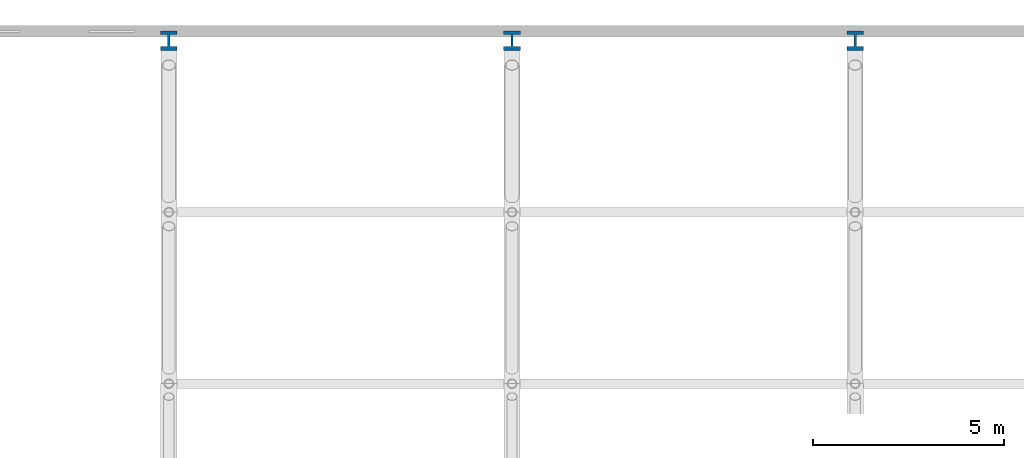
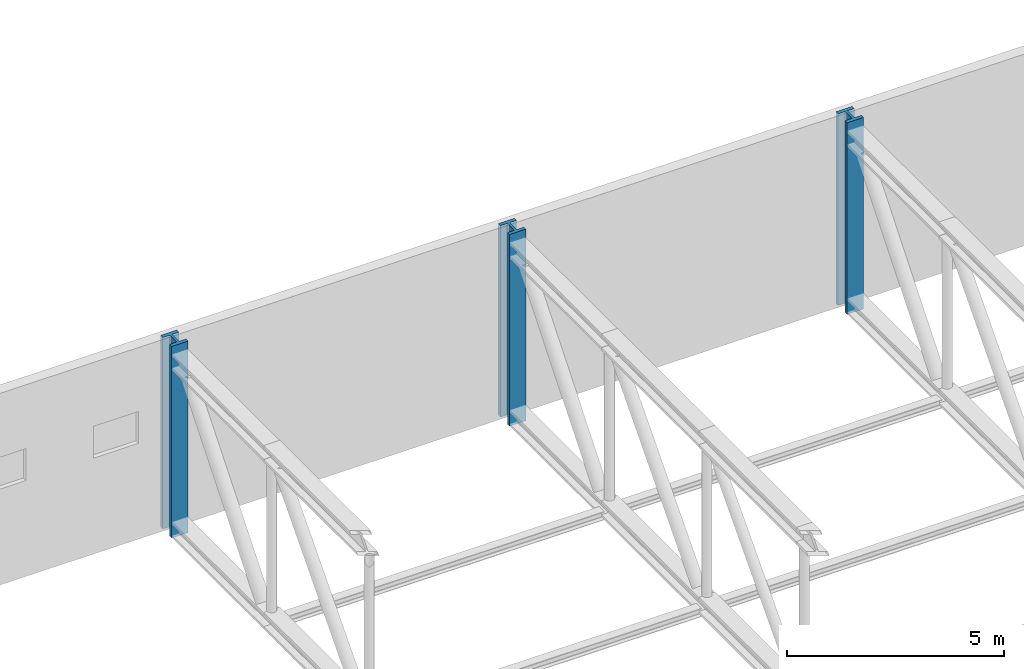
# One storey, part 6 of 53: 3 columns.
"""IFC4 building model written with IfcOpenShell, lengths in metres."""

from ifc_helpers import new_model, si_unit, direction, frame, origin, origin_2d, place, context, subcontext, project, spatial, i_section, extrude, material, material_profile, profile_set, type_object, element, save


model = new_model("IFC4")

# Units and contexts
model_context = context("Model", 3, precision=1e-05, world=origin(), true_north=direction((0.0, 1.0)))
body_context = subcontext(model_context, "Body", "Model", "MODEL_VIEW")
ifc_project = project(units=[si_unit("LENGTHUNIT", "METRE"), si_unit("AREAUNIT", "SQUARE_METRE"), si_unit("VOLUMEUNIT", "CUBIC_METRE"), si_unit("PLANEANGLEUNIT", "RADIAN"), si_unit("MASSUNIT", "GRAM", prefix="KILO")], contexts=[model_context])

# Site, building, storey
site_placement = place(None, origin())
site = spatial("IfcSite", under=ifc_project, at=site_placement, CompositionType="ELEMENT")
building_placement = place(site_placement, origin())
building = spatial("IfcBuilding", under=site, at=building_placement, Name="Azimuth Sports and Learning Centre", CompositionType="ELEMENT")
storey_placement = place(building_placement, frame((0.0, 0.0, 10.800048828125)))
storey = spatial("IfcBuildingStorey", under=building, at=storey_placement, Name="L02", CompositionType="ELEMENT", Elevation=10.800048828125)

# Columns
ifc_material = material(Name="Steel S460", Category="steel")
ifc_material_profile = material_profile(ifc_material, i_section(OverallWidth=0.43701171875, OverallDepth=0.513916015625, WebThickness=0.060546875, FlangeThickness=0.096923828125, FilletRadius=0.014892578125, at=origin_2d()), Name="HD 400x818")
ifc_profile_set = profile_set([ifc_material_profile], Name="Steel S460")
column_type = type_object("IfcColumnType", Name="Column HD 400x818", PredefinedType="COLUMN", material=ifc_profile_set)
for number, where, z_axis, x_axis, name in (
    (1, (72.0, 117.0, 0.0), (0.0, 0.0, 1.0), (1.0, 0.0, 0.0), "Column 9P L02"),
    (2, (81.0, 117.0, 0.0), (0.0, 0.0, 1.0), (1.0, 0.0, 0.0), "Column 10P L02"),
    (3, (90.0, 117.0, 0.0), (0.0, 0.0, 1.0), (1.0, 0.0, 0.0), "Column 11P L02"),
):
    element("IfcColumn", number, at=place(storey_placement, frame(where, z_axis=z_axis, x_axis=x_axis)), inside=storey, type_object=column_type, Name=name, PredefinedType="COLUMN", context=body_context, shape_type="SweptSolid", body=[
        extrude(i_section(OverallWidth=0.43701171875, OverallDepth=0.513916015625, WebThickness=0.060546875, FlangeThickness=0.096923828125, FilletRadius=0.014892578125, at=origin_2d()), origin(), (0.0, 0.0, 1.0), 5.39990234375),
    ])

save(model, "model.ifc")
